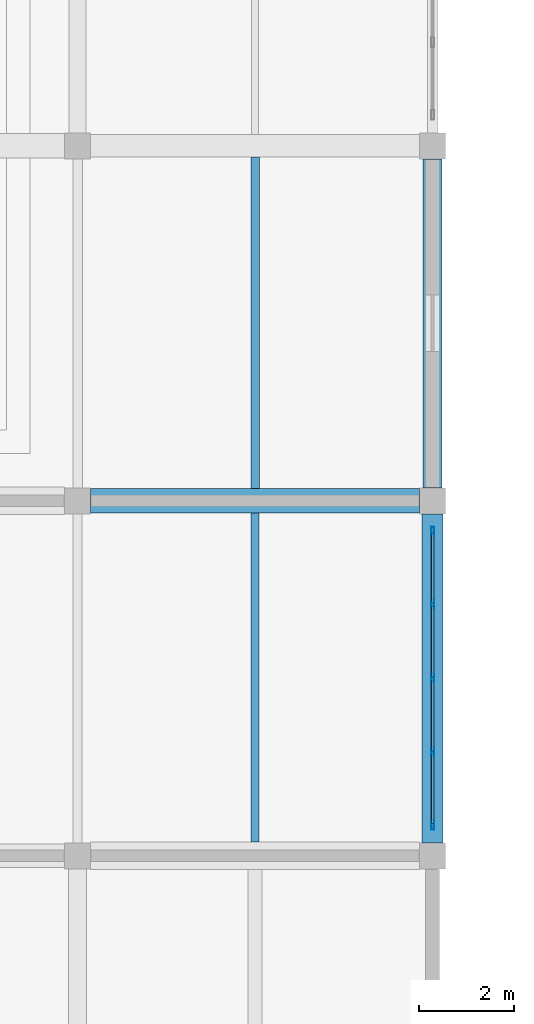
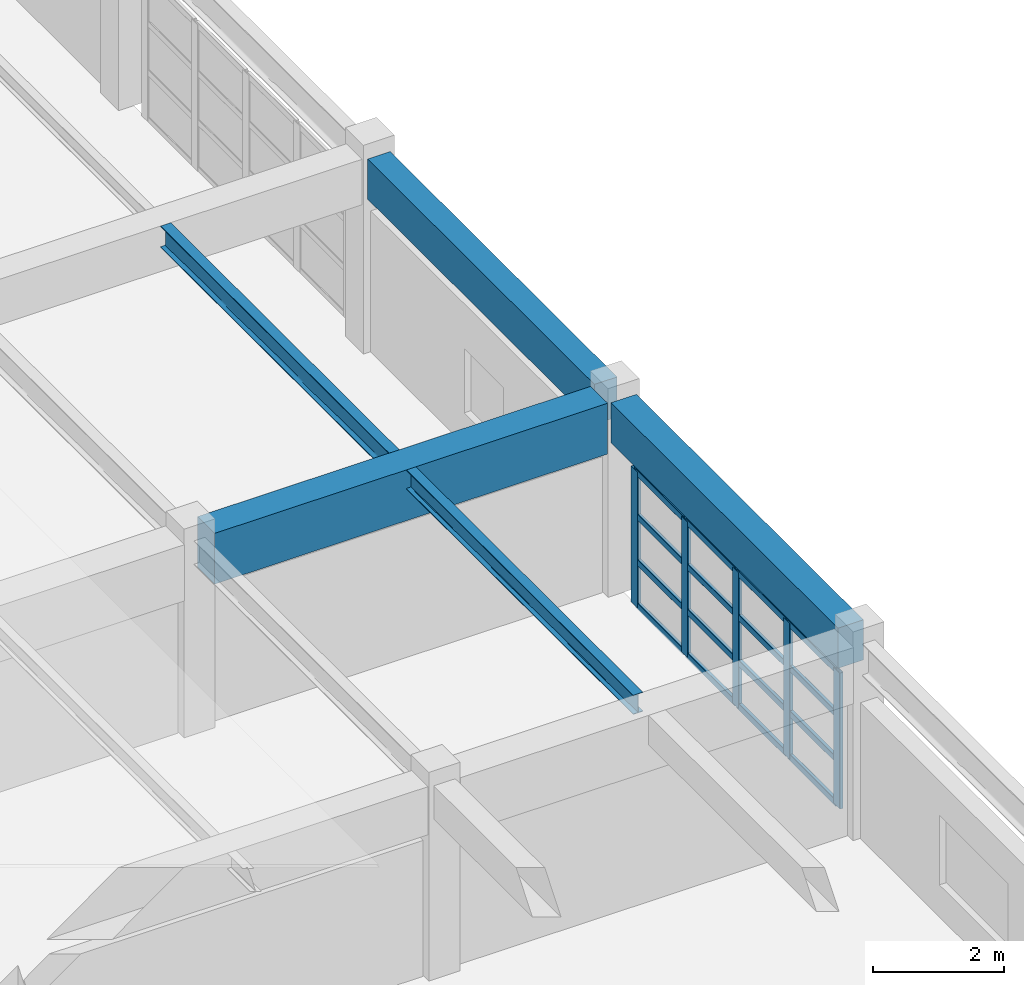
# One storey, part 52 of 101: 21 members, 5 beams, 1 element without a shape of its own.
"""IFC4 building model written with IfcOpenShell, lengths in metres."""

from ifc_helpers import new_model, si_unit, direction, frame, origin, origin_2d, place, context, subcontext, project, spatial, rectangle, hollow_rectangle, i_section, extrude, material, material_profile, profile_set, type_object, element, aggregate, save


model = new_model("IFC4")

# Units and contexts
model_context = context("Model", 3, precision=1e-05, world=origin(), true_north=direction((0.0, 1.0)))
body_context = subcontext(model_context, "Body", "Model", "MODEL_VIEW")
ifc_project = project(units=[si_unit("LENGTHUNIT", "METRE"), si_unit("AREAUNIT", "SQUARE_METRE"), si_unit("VOLUMEUNIT", "CUBIC_METRE"), si_unit("PLANEANGLEUNIT", "RADIAN"), si_unit("MASSUNIT", "GRAM", prefix="KILO")], contexts=[model_context])

# Site, building, storey
site_placement = place(None, origin())
site = spatial("IfcSite", under=ifc_project, at=site_placement, CompositionType="ELEMENT")
building_placement = place(site_placement, origin())
building = spatial("IfcBuilding", under=site, at=building_placement, Name="Qasida Concert Hall", CompositionType="ELEMENT")
storey_placement = place(building_placement, frame((0.0, 0.0, 13.199951171875)))
storey = spatial("IfcBuildingStorey", under=building, at=storey_placement, Name="L03", CompositionType="ELEMENT", Elevation=13.199951171875)

# Beams
ifc_material_1 = material(Name="Concrete C40/50", Category="concrete")
ifc_material_profile_1 = material_profile(ifc_material_1, rectangle(XDim=0.52001953125, YDim=0.949951171875, at=origin_2d()), Name="RC 520x950")
ifc_profile_set_1 = profile_set([ifc_material_profile_1], Name="Concrete C40/50")
beam_type_1 = type_object("IfcBeamType", Name="BM-G7", PredefinedType="USERDEFINED", material=ifc_profile_set_1)
beam_1_placement = place(storey_placement, frame((30.27490234375, 90.0, 3.14501953125), z_axis=(1.0, 0.0, 0.0), x_axis=(0.0, 1.0, 0.0)))
element("IfcBeam", 1, at=beam_1_placement, inside=storey, type_object=beam_type_1, Name="Primary girder 1744", ObjectType="GIRDER", PredefinedType="USERDEFINED", context=body_context, shape_type="SweptSolid", body=[
    extrude(rectangle(XDim=0.52001953125, YDim=0.949951171875, at=origin_2d()), origin(), (0.0, 0.0, 1.0), 6.9501953125),
])
ifc_material_2 = material(Name="Steel S355J2", Category="steel")
ifc_material_profile_2 = material_profile(ifc_material_2, i_section(OverallWidth=0.169921875, OverallDepth=0.360107421875, WebThickness=0.008056640625, FlangeThickness=0.0126953125, FilletRadius=0.01806640625, at=origin_2d()), Name="IPE 360")
ifc_profile_set_2 = profile_set([ifc_material_profile_2], Name="Steel S355J2")
beam_type_2 = type_object("IfcBeamType", Name="BM-J2", PredefinedType="JOIST", material=ifc_profile_set_2)
beam_2_placement = place(storey_placement, frame((33.75, 82.7900390625, 3.43994140625), z_axis=(0.0, 1.0, 0.0), x_axis=(-1.0, 0.0, 0.0)))
element("IfcBeam", 2, at=beam_2_placement, inside=storey, type_object=beam_type_2, Name="L03 secondary joist 1801", PredefinedType="JOIST", context=body_context, shape_type="SweptSolid", body=[
    extrude(i_section(OverallWidth=0.169921875, OverallDepth=0.360107421875, WebThickness=0.008056640625, FlangeThickness=0.0126953125, FilletRadius=0.01806640625, at=origin_2d()), origin(), (0.0, 0.0, 1.0), 6.949951171875),
])
ifc_material_profile_3 = material_profile(ifc_material_2, i_section(OverallWidth=0.179931640625, OverallDepth=0.39990234375, WebThickness=0.008544921875, FlangeThickness=0.013427734375, FilletRadius=0.02099609375, at=origin_2d()), Name="IPE 400")
ifc_profile_set_3 = profile_set([ifc_material_profile_3], Name="Steel S355J2")
beam_type_3 = type_object("IfcBeamType", Name="BM-J3", PredefinedType="JOIST", material=ifc_profile_set_3)
beam_3_placement = place(storey_placement, frame((33.75, 90.260009765625, 3.420166015625), z_axis=(0.0, 1.0, 0.0), x_axis=(-1.0, 0.0, 0.0)))
element("IfcBeam", 3, at=beam_3_placement, inside=storey, type_object=beam_type_3, Name="L03 secondary joist 1802", PredefinedType="JOIST", context=body_context, shape_type="SweptSolid", body=[
    extrude(i_section(OverallWidth=0.179931640625, OverallDepth=0.39990234375, WebThickness=0.008544921875, FlangeThickness=0.013427734375, FilletRadius=0.02099609375, at=origin_2d()), origin(), (0.0, 0.0, 1.0), 7.0),
])
ifc_material_profile_4 = material_profile(ifc_material_1, rectangle(XDim=0.39990234375, YDim=0.75, at=origin_2d()), Name="RC 400x750")
ifc_profile_set_4 = profile_set([ifc_material_profile_4], Name="Concrete C40/50")
beam_type_4 = type_object("IfcBeamType", Name="BM-SP1", PredefinedType="SPANDREL", material=ifc_profile_set_4)
beam_4_placement = place(storey_placement, frame((37.5, 90.27490234375, 3.2451171875), z_axis=(0.0, 1.0, 0.0), x_axis=(-1.0, 0.0, 0.0)))
element("IfcBeam", 4, at=beam_4_placement, inside=storey, type_object=beam_type_4, Name="L03 girder 1779", PredefinedType="SPANDREL", context=body_context, shape_type="SweptSolid", body=[
    extrude(rectangle(XDim=0.39990234375, YDim=0.75, at=origin_2d()), origin(), (0.0, 0.0, 1.0), 6.9501953125),
])
ifc_material_profile_5 = material_profile(ifc_material_1, rectangle(XDim=0.449951171875, YDim=0.75, at=origin_2d()), Name="RC 450x750")
ifc_profile_set_5 = profile_set([ifc_material_profile_5], Name="Concrete C40/50")
beam_type_5 = type_object("IfcBeamType", Name="BM-SP4", PredefinedType="SPANDREL", material=ifc_profile_set_5)
beam_5_placement = place(storey_placement, frame((37.5, 82.77490234375, 3.2451171875), z_axis=(0.0, 1.0, 0.0), x_axis=(-1.0, 0.0, 0.0)))
element("IfcBeam", 5, at=beam_5_placement, inside=storey, type_object=beam_type_5, Name="L03 girder 1778", PredefinedType="SPANDREL", context=body_context, shape_type="SweptSolid", body=[
    extrude(rectangle(XDim=0.449951171875, YDim=0.75, at=origin_2d()), origin(), (0.0, 0.0, 1.0), 6.9501953125),
])

# Curtain wall, members
ifc_material_3 = material(Name="Architectural bronze-anodized aluminium and low-E glass", Category="aluminium")
curtain_wall_type = type_object("IfcCurtainWallType", Name="CW-08", PredefinedType="NOTDEFINED", material=ifc_material_3)
curtain_wall_placement = place(storey_placement, origin())
curtain_wall = element("IfcCurtainWall", 6, at=curtain_wall_placement, inside=storey, type_object=curtain_wall_type, Name="L03 curtain wall CW-08 0192", PredefinedType="NOTDEFINED")
ifc_material_4 = material(Name="Architectural bronze-anodized aluminium EN AW-6063", Category="aluminium")
ifc_material_profile_6 = material_profile(ifc_material_4, hollow_rectangle(XDim=0.06494140625, YDim=0.199951171875, WallThickness=0.0048828125, InnerFilletRadius=0.0048828125, OuterFilletRadius=0.010009765625, at=origin_2d()), Name="CWM 200x65x5")
ifc_profile_set_6 = profile_set([ifc_material_profile_6], Name="Architectural bronze-anodized aluminium EN AW-6063")
member_type_1 = type_object("IfcMemberType", Name="MB-CWM-2", PredefinedType="MULLION", material=ifc_profile_set_6)
member_1_placement = place(storey_placement, frame((37.5, 83.152587890625, 0.0), z_axis=(0.0, 0.0, 1.0), x_axis=(-1.0, 0.0, 0.0)))
member_1 = element("IfcMember", 7, at=member_1_placement, type_object=member_type_1, Name="CW-08 mullion 1", PredefinedType="MULLION", context=body_context, shape_type="SweptSolid", body=[
    extrude(hollow_rectangle(XDim=0.06494140625, YDim=0.199951171875, WallThickness=0.0048828125, InnerFilletRadius=0.0048828125, OuterFilletRadius=0.010009765625, at=origin_2d()), origin(), (0.0, 0.0, 1.0), 2.5400390625),
])
member_2_placement = place(storey_placement, frame((37.5, 84.68505859375, 0.0), z_axis=(0.0, 0.0, 1.0), x_axis=(-1.0, 0.0, 0.0)))
member_2 = element("IfcMember", 8, at=member_2_placement, type_object=member_type_1, Name="CW-08 mullion 2", PredefinedType="MULLION", context=body_context, shape_type="SweptSolid", body=[
    extrude(hollow_rectangle(XDim=0.06494140625, YDim=0.199951171875, WallThickness=0.0048828125, InnerFilletRadius=0.0048828125, OuterFilletRadius=0.010009765625, at=origin_2d()), origin(), (0.0, 0.0, 1.0), 2.5400390625),
])
member_3_placement = place(storey_placement, frame((37.5, 86.25, 0.0), z_axis=(0.0, 0.0, 1.0), x_axis=(-1.0, 0.0, 0.0)))
member_3 = element("IfcMember", 9, at=member_3_placement, type_object=member_type_1, Name="CW-08 mullion 3", PredefinedType="MULLION", context=body_context, shape_type="SweptSolid", body=[
    extrude(hollow_rectangle(XDim=0.06494140625, YDim=0.199951171875, WallThickness=0.0048828125, InnerFilletRadius=0.0048828125, OuterFilletRadius=0.010009765625, at=origin_2d()), origin(), (0.0, 0.0, 1.0), 2.5400390625),
])
member_4_placement = place(storey_placement, frame((37.5, 87.81494140625, 0.0), z_axis=(0.0, 0.0, 1.0), x_axis=(-1.0, 0.0, 0.0)))
member_4 = element("IfcMember", 10, at=member_4_placement, type_object=member_type_1, Name="CW-08 mullion 4", PredefinedType="MULLION", context=body_context, shape_type="SweptSolid", body=[
    extrude(hollow_rectangle(XDim=0.06494140625, YDim=0.199951171875, WallThickness=0.0048828125, InnerFilletRadius=0.0048828125, OuterFilletRadius=0.010009765625, at=origin_2d()), origin(), (0.0, 0.0, 1.0), 2.5400390625),
])
member_5_placement = place(storey_placement, frame((37.5, 89.347412109375, 0.0), z_axis=(0.0, 0.0, 1.0), x_axis=(-1.0, 0.0, 0.0)))
member_5 = element("IfcMember", 11, at=member_5_placement, type_object=member_type_1, Name="CW-08 mullion 5", PredefinedType="MULLION", context=body_context, shape_type="SweptSolid", body=[
    extrude(hollow_rectangle(XDim=0.06494140625, YDim=0.199951171875, WallThickness=0.0048828125, InnerFilletRadius=0.0048828125, OuterFilletRadius=0.010009765625, at=origin_2d()), origin(), (0.0, 0.0, 1.0), 2.5400390625),
])
ifc_material_profile_7 = material_profile(ifc_material_4, hollow_rectangle(XDim=0.06005859375, YDim=0.1201171875, WallThickness=0.00390625, InnerFilletRadius=0.00390625, OuterFilletRadius=0.008056640625, at=origin_2d()), Name="CWT 120x60x4")
ifc_profile_set_7 = profile_set([ifc_material_profile_7], Name="Architectural bronze-anodized aluminium EN AW-6063")
member_type_2 = type_object("IfcMemberType", Name="MB-CWT-2", PredefinedType="USERDEFINED", material=ifc_profile_set_7)
member_6_placement = place(storey_placement, frame((37.5, 83.18505859375, 0.030029296875), z_axis=(0.0, 1.0, 0.0), x_axis=(-1.0, 0.0, 0.0)))
member_6 = element("IfcMember", 12, at=member_6_placement, type_object=member_type_2, Name="CW-08 transom 1.1", ObjectType="TRANSOM", PredefinedType="USERDEFINED", context=body_context, shape_type="SweptSolid", body=[
    extrude(hollow_rectangle(XDim=0.06005859375, YDim=0.1201171875, WallThickness=0.00390625, InnerFilletRadius=0.00390625, OuterFilletRadius=0.008056640625, at=origin_2d()), origin(), (0.0, 0.0, 1.0), 1.467529296875),
])
member_7_placement = place(storey_placement, frame((37.5, 83.18505859375, 0.8466796875), z_axis=(0.0, 1.0, 0.0), x_axis=(-1.0, 0.0, 0.0)))
member_7 = element("IfcMember", 13, at=member_7_placement, type_object=member_type_2, Name="CW-08 transom 1.2", ObjectType="TRANSOM", PredefinedType="USERDEFINED", context=body_context, shape_type="SweptSolid", body=[
    extrude(hollow_rectangle(XDim=0.06005859375, YDim=0.1201171875, WallThickness=0.00390625, InnerFilletRadius=0.00390625, OuterFilletRadius=0.008056640625, at=origin_2d()), origin(), (0.0, 0.0, 1.0), 1.467529296875),
])
member_8_placement = place(storey_placement, frame((37.5, 83.18505859375, 1.693359375), z_axis=(0.0, 1.0, 0.0), x_axis=(-1.0, 0.0, 0.0)))
member_8 = element("IfcMember", 14, at=member_8_placement, type_object=member_type_2, Name="CW-08 transom 1.3", ObjectType="TRANSOM", PredefinedType="USERDEFINED", context=body_context, shape_type="SweptSolid", body=[
    extrude(hollow_rectangle(XDim=0.06005859375, YDim=0.1201171875, WallThickness=0.00390625, InnerFilletRadius=0.00390625, OuterFilletRadius=0.008056640625, at=origin_2d()), origin(), (0.0, 0.0, 1.0), 1.467529296875),
])
member_9_placement = place(storey_placement, frame((37.5, 83.18505859375, 2.510009765625), z_axis=(0.0, 1.0, 0.0), x_axis=(-1.0, 0.0, 0.0)))
member_9 = element("IfcMember", 15, at=member_9_placement, type_object=member_type_2, Name="CW-08 transom 1.4", ObjectType="TRANSOM", PredefinedType="USERDEFINED", context=body_context, shape_type="SweptSolid", body=[
    extrude(hollow_rectangle(XDim=0.06005859375, YDim=0.1201171875, WallThickness=0.00390625, InnerFilletRadius=0.00390625, OuterFilletRadius=0.008056640625, at=origin_2d()), origin(), (0.0, 0.0, 1.0), 1.467529296875),
])
member_10_placement = place(storey_placement, frame((37.5, 84.717529296875, 0.030029296875), z_axis=(0.0, 1.0, 0.0), x_axis=(-1.0, 0.0, 0.0)))
member_10 = element("IfcMember", 16, at=member_10_placement, type_object=member_type_2, Name="CW-08 transom 2.1", ObjectType="TRANSOM", PredefinedType="USERDEFINED", context=body_context, shape_type="SweptSolid", body=[
    extrude(hollow_rectangle(XDim=0.06005859375, YDim=0.1201171875, WallThickness=0.00390625, InnerFilletRadius=0.00390625, OuterFilletRadius=0.008056640625, at=origin_2d()), origin(), (0.0, 0.0, 1.0), 1.5),
])
member_11_placement = place(storey_placement, frame((37.5, 84.717529296875, 0.8466796875), z_axis=(0.0, 1.0, 0.0), x_axis=(-1.0, 0.0, 0.0)))
member_11 = element("IfcMember", 17, at=member_11_placement, type_object=member_type_2, Name="CW-08 transom 2.2", ObjectType="TRANSOM", PredefinedType="USERDEFINED", context=body_context, shape_type="SweptSolid", body=[
    extrude(hollow_rectangle(XDim=0.06005859375, YDim=0.1201171875, WallThickness=0.00390625, InnerFilletRadius=0.00390625, OuterFilletRadius=0.008056640625, at=origin_2d()), origin(), (0.0, 0.0, 1.0), 1.5),
])
member_12_placement = place(storey_placement, frame((37.5, 84.717529296875, 1.693359375), z_axis=(0.0, 1.0, 0.0), x_axis=(-1.0, 0.0, 0.0)))
member_12 = element("IfcMember", 18, at=member_12_placement, type_object=member_type_2, Name="CW-08 transom 2.3", ObjectType="TRANSOM", PredefinedType="USERDEFINED", context=body_context, shape_type="SweptSolid", body=[
    extrude(hollow_rectangle(XDim=0.06005859375, YDim=0.1201171875, WallThickness=0.00390625, InnerFilletRadius=0.00390625, OuterFilletRadius=0.008056640625, at=origin_2d()), origin(), (0.0, 0.0, 1.0), 1.5),
])
member_13_placement = place(storey_placement, frame((37.5, 84.717529296875, 2.510009765625), z_axis=(0.0, 1.0, 0.0), x_axis=(-1.0, 0.0, 0.0)))
member_13 = element("IfcMember", 19, at=member_13_placement, type_object=member_type_2, Name="CW-08 transom 2.4", ObjectType="TRANSOM", PredefinedType="USERDEFINED", context=body_context, shape_type="SweptSolid", body=[
    extrude(hollow_rectangle(XDim=0.06005859375, YDim=0.1201171875, WallThickness=0.00390625, InnerFilletRadius=0.00390625, OuterFilletRadius=0.008056640625, at=origin_2d()), origin(), (0.0, 0.0, 1.0), 1.5),
])
member_14_placement = place(storey_placement, frame((37.5, 86.282470703125, 0.030029296875), z_axis=(0.0, 1.0, 0.0), x_axis=(-1.0, 0.0, 0.0)))
member_14 = element("IfcMember", 20, at=member_14_placement, type_object=member_type_2, Name="CW-08 transom 3.1", ObjectType="TRANSOM", PredefinedType="USERDEFINED", context=body_context, shape_type="SweptSolid", body=[
    extrude(hollow_rectangle(XDim=0.06005859375, YDim=0.1201171875, WallThickness=0.00390625, InnerFilletRadius=0.00390625, OuterFilletRadius=0.008056640625, at=origin_2d()), origin(), (0.0, 0.0, 1.0), 1.5),
])
member_15_placement = place(storey_placement, frame((37.5, 86.282470703125, 0.8466796875), z_axis=(0.0, 1.0, 0.0), x_axis=(-1.0, 0.0, 0.0)))
member_15 = element("IfcMember", 21, at=member_15_placement, type_object=member_type_2, Name="CW-08 transom 3.2", ObjectType="TRANSOM", PredefinedType="USERDEFINED", context=body_context, shape_type="SweptSolid", body=[
    extrude(hollow_rectangle(XDim=0.06005859375, YDim=0.1201171875, WallThickness=0.00390625, InnerFilletRadius=0.00390625, OuterFilletRadius=0.008056640625, at=origin_2d()), origin(), (0.0, 0.0, 1.0), 1.5),
])
member_16_placement = place(storey_placement, frame((37.5, 86.282470703125, 1.693359375), z_axis=(0.0, 1.0, 0.0), x_axis=(-1.0, 0.0, 0.0)))
member_16 = element("IfcMember", 22, at=member_16_placement, type_object=member_type_2, Name="CW-08 transom 3.3", ObjectType="TRANSOM", PredefinedType="USERDEFINED", context=body_context, shape_type="SweptSolid", body=[
    extrude(hollow_rectangle(XDim=0.06005859375, YDim=0.1201171875, WallThickness=0.00390625, InnerFilletRadius=0.00390625, OuterFilletRadius=0.008056640625, at=origin_2d()), origin(), (0.0, 0.0, 1.0), 1.5),
])
member_17_placement = place(storey_placement, frame((37.5, 86.282470703125, 2.510009765625), z_axis=(0.0, 1.0, 0.0), x_axis=(-1.0, 0.0, 0.0)))
member_17 = element("IfcMember", 23, at=member_17_placement, type_object=member_type_2, Name="CW-08 transom 3.4", ObjectType="TRANSOM", PredefinedType="USERDEFINED", context=body_context, shape_type="SweptSolid", body=[
    extrude(hollow_rectangle(XDim=0.06005859375, YDim=0.1201171875, WallThickness=0.00390625, InnerFilletRadius=0.00390625, OuterFilletRadius=0.008056640625, at=origin_2d()), origin(), (0.0, 0.0, 1.0), 1.5),
])
member_18_placement = place(storey_placement, frame((37.5, 87.847412109375, 0.030029296875), z_axis=(0.0, 1.0, 0.0), x_axis=(-1.0, 0.0, 0.0)))
member_18 = element("IfcMember", 24, at=member_18_placement, type_object=member_type_2, Name="CW-08 transom 4.1", ObjectType="TRANSOM", PredefinedType="USERDEFINED", context=body_context, shape_type="SweptSolid", body=[
    extrude(hollow_rectangle(XDim=0.06005859375, YDim=0.1201171875, WallThickness=0.00390625, InnerFilletRadius=0.00390625, OuterFilletRadius=0.008056640625, at=origin_2d()), origin(), (0.0, 0.0, 1.0), 1.467529296875),
])
member_19_placement = place(storey_placement, frame((37.5, 87.847412109375, 0.8466796875), z_axis=(0.0, 1.0, 0.0), x_axis=(-1.0, 0.0, 0.0)))
member_19 = element("IfcMember", 25, at=member_19_placement, type_object=member_type_2, Name="CW-08 transom 4.2", ObjectType="TRANSOM", PredefinedType="USERDEFINED", context=body_context, shape_type="SweptSolid", body=[
    extrude(hollow_rectangle(XDim=0.06005859375, YDim=0.1201171875, WallThickness=0.00390625, InnerFilletRadius=0.00390625, OuterFilletRadius=0.008056640625, at=origin_2d()), origin(), (0.0, 0.0, 1.0), 1.467529296875),
])
member_20_placement = place(storey_placement, frame((37.5, 87.847412109375, 1.693359375), z_axis=(0.0, 1.0, 0.0), x_axis=(-1.0, 0.0, 0.0)))
member_20 = element("IfcMember", 26, at=member_20_placement, type_object=member_type_2, Name="CW-08 transom 4.3", ObjectType="TRANSOM", PredefinedType="USERDEFINED", context=body_context, shape_type="SweptSolid", body=[
    extrude(hollow_rectangle(XDim=0.06005859375, YDim=0.1201171875, WallThickness=0.00390625, InnerFilletRadius=0.00390625, OuterFilletRadius=0.008056640625, at=origin_2d()), origin(), (0.0, 0.0, 1.0), 1.467529296875),
])
member_21_placement = place(storey_placement, frame((37.5, 87.847412109375, 2.510009765625), z_axis=(0.0, 1.0, 0.0), x_axis=(-1.0, 0.0, 0.0)))
member_21 = element("IfcMember", 27, at=member_21_placement, type_object=member_type_2, Name="CW-08 transom 4.4", ObjectType="TRANSOM", PredefinedType="USERDEFINED", context=body_context, shape_type="SweptSolid", body=[
    extrude(hollow_rectangle(XDim=0.06005859375, YDim=0.1201171875, WallThickness=0.00390625, InnerFilletRadius=0.00390625, OuterFilletRadius=0.008056640625, at=origin_2d()), origin(), (0.0, 0.0, 1.0), 1.467529296875),
])
aggregate(curtain_wall, [member_1, member_2, member_3, member_4, member_5, member_6, member_7, member_8, member_9, member_10, member_11, member_12, member_13, member_14, member_15, member_16, member_17, member_18, member_19, member_20, member_21])

save(model, "model.ifc")
